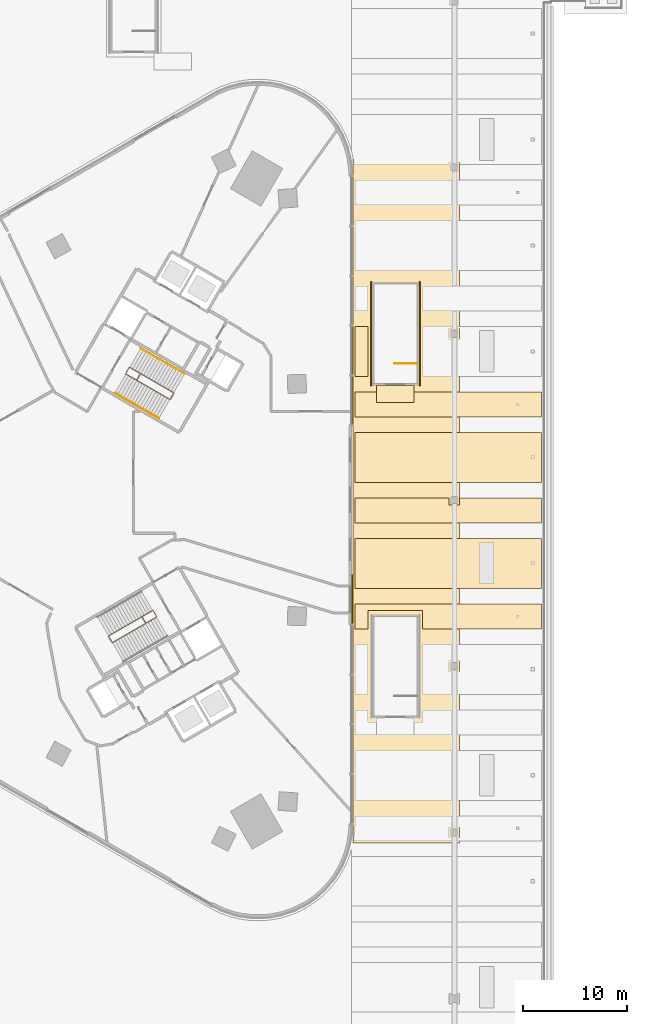
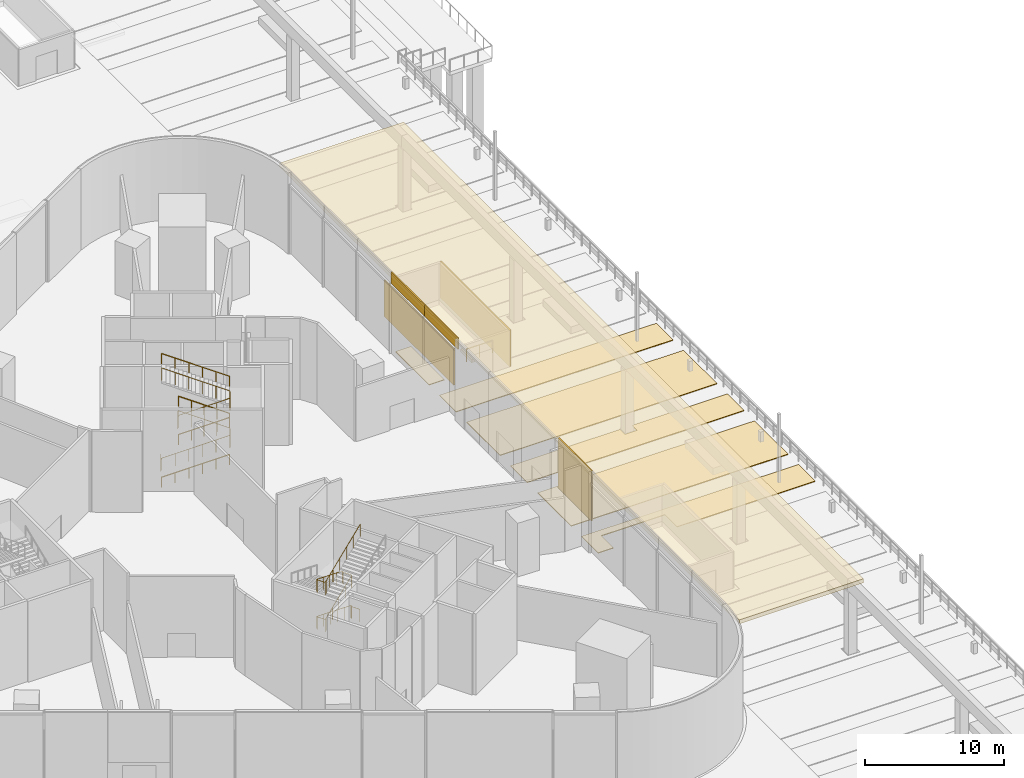
# One storey, part 37 of 41: 13 coverings, 7 railings.
"""IFC4 building model written with IfcOpenShell, lengths in metres."""

from ifc_helpers import new_model, si_unit, direction, frame, origin, origin_2d, place, context, subcontext, project, spatial, polyline, rectangle, circle, outline, extrude, material, layer, layer_set, type_object, element, save


model = new_model("IFC4")

# Units and contexts
model_context = context("Model", 3, precision=1e-05, world=origin(), true_north=direction((0.0, 1.0)))
body_context = subcontext(model_context, "Body", "Model", "MODEL_VIEW")
ifc_project = project(units=[si_unit("LENGTHUNIT", "METRE"), si_unit("AREAUNIT", "SQUARE_METRE"), si_unit("VOLUMEUNIT", "CUBIC_METRE"), si_unit("PLANEANGLEUNIT", "RADIAN"), si_unit("MASSUNIT", "GRAM", prefix="KILO")], contexts=[model_context])

# Site, building, storey
site_placement = place(None, origin())
site = spatial("IfcSite", under=ifc_project, at=site_placement, CompositionType="ELEMENT")
building_placement = place(site_placement, origin())
building = spatial("IfcBuilding", under=site, at=building_placement, Name="Tamra Quay Hotel Tower", CompositionType="ELEMENT")
storey_placement = place(building_placement, origin())
storey = spatial("IfcBuildingStorey", under=building, at=storey_placement, Name="L00", CompositionType="ELEMENT", Elevation=0.0)

# Railing
ifc_material_1 = material(Name="Basement stair guard 1100")
railing_type_1 = type_object("IfcRailingType", Name="Basement stair guard 1100", PredefinedType="GUARDRAIL", material=ifc_material_1)
railing_1_placement = place(storey_placement, frame((33.300048828125, 13.14990234375, 0.0)))
element("IfcRailing", 1, at=railing_1_placement, inside=storey, type_object=railing_type_1, Name="BSG", PredefinedType="GUARDRAIL", context=body_context, shape_type="SweptSolid", body=[
    extrude(circle(Radius=0.02392578125, at=origin_2d()), frame((0.0, 0.0, 1.076171875), z_axis=(-1.0, 0.0, 0.0), x_axis=(0.0, -1.0, 0.0)), (0.0, 0.0, 1.0), 2.150146484375),
    extrude(circle(Radius=0.02099609375, at=origin_2d()), origin(), (0.0, 0.0, 1.0), 1.052001953125),
    extrude(circle(Radius=0.02099609375, at=origin_2d()), frame((-1.0751953125, 0.0, 0.0)), (0.0, 0.0, 1.0), 1.052001953125),
    extrude(circle(Radius=0.02099609375, at=origin_2d()), frame((-2.150146484375, 0.0, 0.0)), (0.0, 0.0, 1.0), 1.052001953125),
])

# Coverings
ifc_material_2 = material(Name="Concrete M60", Category="concrete")
ifc_layer_1 = layer(ifc_material_2, 0.35009765625)
ifc_layer_set_1 = layer_set([ifc_layer_1], Name="CANOPY SHEET 350")
covering_type_1 = type_object("IfcCoveringType", Name="CANOPY SHEET 350", PredefinedType="ROOFING", material=ifc_layer_set_1)
covering_1_placement = place(storey_placement, frame((0.0, 0.0, 6.39990234375)))
element("IfcCovering", 2, at=covering_1_placement, inside=storey, type_object=covering_type_1, Name="Promenade canopy", PredefinedType="ROOFING", context=body_context, shape_type="SweptSolid", body=[
    extrude(outline(polyline([(27.1201171875, -33.0), (37.39990234375, -33.0), (37.39990234375, 33.0), (27.1201171875, 33.0), (27.1201171875, -33.0)])), origin(), (0.0, 0.0, 1.0), 0.35009765625),
])
ifc_material_3 = material(Name="Reinforced concrete M60 with waterproofing membrane", Category="concrete")
ifc_layer_2 = layer(ifc_material_3, 0.25)
ifc_layer_set_2 = layer_set([ifc_layer_2], Name="PAVILION CANOPY SHEET 250")
covering_type_2 = type_object("IfcCoveringType", Name="PAVILION CANOPY SHEET 250", PredefinedType="ROOFING", material=ifc_layer_set_2)
covering_2_placement = place(storey_placement, frame((0.0, 0.0, 2.75)))
element("IfcCovering", 3, at=covering_2_placement, inside=storey, type_object=covering_type_2, Name="Stair pavilion BS16 door canopy", PredefinedType="ROOFING", context=body_context, shape_type="SweptSolid", body=[
    extrude(outline(polyline([(29.425048828125, 11.0), (33.02490234375, 11.0), (33.02490234375, 9.39990234375), (29.425048828125, 9.39990234375), (29.425048828125, 11.0)])), origin(), (0.0, 0.0, 1.0), 0.25),
])
ifc_material_4 = material(Name="Precast concrete M60 terracotta-coloured pierced relief", Category="masonry")
ifc_layer_3 = layer(ifc_material_4, 0.10009765625)
ifc_layer_set_3 = layer_set([ifc_layer_3], Name="PIERCED RELIEF PANEL 100")
covering_type_3 = type_object("IfcCoveringType", Name="PIERCED RELIEF PANEL 100", PredefinedType="CLADDING", material=ifc_layer_set_3)
covering_3_placement = place(storey_placement, frame((27.050048828125, -9.593017578125, 2.699951171875), z_axis=(0.0, 0.0, 1.0), x_axis=(0.0, 1.0, 0.0)))
element("IfcCovering", 4, at=covering_3_placement, inside=storey, type_object=covering_type_3, Name="Relief panel L00.E.08", PredefinedType="CLADDING", context=body_context, shape_type="SweptSolid", body=[
    extrude(rectangle(XDim=4.7763671875, YDim=0.10009765625, at=origin_2d()), origin(), (0.0, 0.0, 1.0), 4.39990234375),
])
for number, where, z_axis, x_axis, name in (
    (5, (27.050048828125, 9.593017578125, 6.10009765625), (0.0, 0.0, 1.0), (0.0, 1.0, 0.0), "Relief panel L00.E.12"),
    (6, (27.050048828125, 14.389404296875, 6.10009765625), (0.0, 0.0, 1.0), (0.0, 1.0, 0.0), "Relief panel L00.E.13"),
):
    element("IfcCovering", number, at=place(storey_placement, frame(where, z_axis=z_axis, x_axis=x_axis)), inside=storey, type_object=covering_type_3, Name=name, PredefinedType="CLADDING", context=body_context, shape_type="SweptSolid", body=[
        extrude(rectangle(XDim=4.7763671875, YDim=0.10009765625, at=origin_2d()), origin(), (0.0, 0.0, 1.0), 1.0),
    ])
for number, where, z_axis, x_axis, name in (
    (7, (28.89990234375, 16.0, 0.0), (0.0, 0.0, 1.0), (0.0, -1.0, 0.0), "Relief panel BS16.W"),
    (8, (33.550048828125, 16.0, 0.0), (0.0, 0.0, 1.0), (0.0, 1.0, 0.0), "Relief panel BS16.E"),
):
    element("IfcCovering", number, at=place(storey_placement, frame(where, z_axis=z_axis, x_axis=x_axis)), inside=storey, type_object=covering_type_3, Name=name, PredefinedType="CLADDING", context=body_context, shape_type="SweptSolid", body=[
        extrude(rectangle(XDim=9.97998046875, YDim=0.10009765625, at=origin_2d()), origin(), (0.0, 0.0, 1.0), 3.199951171875),
    ])
ifc_material_5 = material(Name="Limestone flagstone paving light grey", Category="masonry")
ifc_layer_4 = layer(ifc_material_5, 0.06005859375)
ifc_layer_set_4 = layer_set([ifc_layer_4], Name="PROMENADE PAVING 60")
covering_type_4 = type_object("IfcCoveringType", Name="PROMENADE PAVING 60", PredefinedType="USERDEFINED", material=ifc_layer_set_4)
covering_4_placement = place(storey_placement, origin())
element("IfcCovering", 9, at=covering_4_placement, inside=storey, type_object=covering_type_4, Name="Tamra Quay Promenade paving strip.14", ObjectType="PAVING", PredefinedType="USERDEFINED", context=body_context, shape_type="SweptSolid", body=[
    extrude(outline(polyline([(27.320068359375, -10.0), (27.320068359375, -12.39990234375), (28.60009765625, -12.39990234375), (28.60009765625, -10.64990234375), (33.85009765625, -10.64990234375), (33.85009765625, -12.39990234375), (45.300048828125, -12.39990234375), (45.300048828125, -10.0), (27.320068359375, -10.0)])), origin(), (0.0, 0.0, 1.0), 0.06005859375),
])
covering_5_placement = place(storey_placement, origin())
element("IfcCovering", 10, at=covering_5_placement, inside=storey, type_object=covering_type_4, Name="Tamra Quay Promenade paving strip.15", ObjectType="PAVING", PredefinedType="USERDEFINED", context=body_context, shape_type="SweptSolid", body=[
    extrude(outline(polyline([(27.320068359375, -3.699951171875), (27.320068359375, -8.5), (45.300048828125, -8.5), (45.300048828125, -3.699951171875), (27.320068359375, -3.699951171875)])), origin(), (0.0, 0.0, 1.0), 0.06005859375),
])
covering_6_placement = place(storey_placement, origin())
element("IfcCovering", 11, at=covering_6_placement, inside=storey, type_object=covering_type_4, Name="Tamra Quay Promenade paving strip.16", ObjectType="PAVING", PredefinedType="USERDEFINED", context=body_context, shape_type="SweptSolid", body=[
    extrude(outline(polyline([(27.320068359375, 0.199951171875), (27.320068359375, -2.199951171875), (45.300048828125, -2.199951171875), (45.300048828125, 0.199951171875), (37.39990234375, 0.199951171875), (37.39990234375, -0.5), (36.39990234375, -0.5), (36.39990234375, 0.199951171875), (27.320068359375, 0.199951171875)])), origin(), (0.0, 0.0, 1.0), 0.06005859375),
])
covering_7_placement = place(storey_placement, origin())
element("IfcCovering", 12, at=covering_7_placement, inside=storey, type_object=covering_type_4, Name="Tamra Quay Promenade paving strip.17", ObjectType="PAVING", PredefinedType="USERDEFINED", context=body_context, shape_type="SweptSolid", body=[
    extrude(outline(polyline([(27.320068359375, 6.5), (27.320068359375, 1.699951171875), (45.300048828125, 1.699951171875), (45.300048828125, 6.5), (27.320068359375, 6.5)])), origin(), (0.0, 0.0, 1.0), 0.06005859375),
])
covering_8_placement = place(storey_placement, origin())
element("IfcCovering", 13, at=covering_8_placement, inside=storey, type_object=covering_type_4, Name="Tamra Quay Promenade paving strip.18", ObjectType="PAVING", PredefinedType="USERDEFINED", context=body_context, shape_type="SweptSolid", body=[
    extrude(outline(polyline([(27.320068359375, 10.39990234375), (27.320068359375, 8.0), (45.300048828125, 8.0), (45.300048828125, 10.39990234375), (27.320068359375, 10.39990234375)])), origin(), (0.0, 0.0, 1.0), 0.06005859375),
])
covering_9_placement = place(storey_placement, origin())
element("IfcCovering", 14, at=covering_9_placement, inside=storey, type_object=covering_type_4, Name="Tamra Quay Promenade paving strip.19.1", ObjectType="PAVING", PredefinedType="USERDEFINED", context=body_context, shape_type="SweptSolid", body=[
    extrude(outline(polyline([(27.320068359375, 16.699951171875), (27.320068359375, 11.89990234375), (28.60009765625, 11.89990234375), (28.60009765625, 16.699951171875), (27.320068359375, 16.699951171875)])), origin(), (0.0, 0.0, 1.0), 0.06005859375),
])

# Railings
ifc_material_6 = material(Name="Stair guard 1100")
railing_type_2 = type_object("IfcRailingType", Name="Stair guard 1100", PredefinedType="GUARDRAIL", material=ifc_material_6)
railing_2_placement = place(storey_placement, frame((5.595458984375, 12.751953125, 0.0)))
element("IfcRailing", 15, at=railing_2_placement, inside=storey, type_object=railing_type_2, Name="GR", PredefinedType="GUARDRAIL", context=body_context, shape_type="SweptSolid", body=[
    extrude(circle(Radius=0.02392578125, at=origin_2d()), frame((0.0, 0.0, 1.076171875), z_axis=(-0.499765215335, -0.866160914346, 0.0), x_axis=(0.866160914346, -0.499765215335, 0.0)), (0.0, 0.0, 1.0), 0.658935546875),
    extrude(circle(Radius=0.02392578125, at=origin_2d()), frame((-0.329345703125, -0.57080078125, 1.076171875), z_axis=(0.127575745069, -0.474581771658, 0.87091708634), x_axis=(0.965715946433, 0.259601060869, 0.0)), (0.0, 0.0, 1.0), 0.1435546875),
    extrude(circle(Radius=0.02392578125, at=origin_2d()), frame((-0.31103515625, -0.638916015625, 1.201171875), z_axis=(0.80131590799, -0.462689341442, 0.37922472087), x_axis=(0.500040029196, 0.866002291684, 0.0)), (0.0, 0.0, 1.0), 5.27392578125),
    extrude(circle(Radius=0.02392578125, at=origin_2d()), frame((3.9150390625, -3.0791015625, 3.201171875), z_axis=(0.965948051503, 0.258736085224, 0.0), x_axis=(-0.258736085224, 0.965948051503, 0.0)), (0.0, 0.0, 1.0), 0.07080078125),
    extrude(circle(Radius=0.02392578125, at=origin_2d()), frame((3.9833984375, -3.060791015625, 3.201171875), z_axis=(0.500043078269, 0.866000531106, 0.0), x_axis=(-0.866000531106, 0.500043078269, 0.0)), (0.0, 0.0, 1.0), 0.6591796875),
    extrude(circle(Radius=0.02392578125, at=origin_2d()), frame((4.31298828125, -2.489990234375, 3.201171875), z_axis=(-0.127472697635, 0.475898071169, 0.870213615852), x_axis=(-0.965948051503, -0.258736085224, 0.0)), (0.0, 0.0, 1.0), 0.1435546875),
    extrude(circle(Radius=0.02392578125, at=origin_2d()), frame((4.294677734375, -2.421630859375, 3.326171875), z_axis=(-0.80135555622, 0.462617260561, 0.379228879104), x_axis=(-0.499963050397, -0.866046735597, 0.0)), (0.0, 0.0, 1.0), 3.955322265625),
    extrude(circle(Radius=0.02392578125, at=origin_2d()), frame((1.125, -0.591796875, 4.826171875), z_axis=(-0.965948051503, -0.258736085224, 0.0), x_axis=(0.258736085224, -0.965948051503, 0.0)), (0.0, 0.0, 1.0), 0.07080078125),
    extrude(circle(Radius=0.02392578125, at=origin_2d()), frame((1.056640625, -0.610107421875, 4.826171875), z_axis=(-0.500203519255, -0.865907869998, 0.0), x_axis=(0.865907869998, -0.500203519255, 0.0)), (0.0, 0.0, 1.0), 0.658935546875),
    extrude(circle(Radius=0.02392578125, at=origin_2d()), frame((0.72705078125, -1.1806640625, 4.826171875), z_axis=(0.127472697635, -0.475898071169, 0.870213615852), x_axis=(0.965948051503, 0.258736085224, 0.0)), (0.0, 0.0, 1.0), 0.1435546875),
    extrude(circle(Radius=0.02392578125, at=origin_2d()), frame((0.745361328125, -1.2490234375, 4.951171875), z_axis=(0.801332673499, -0.462665772206, 0.379218050218), x_axis=(0.500013080017, 0.866017851902, 0.0)), (0.0, 0.0, 1.0), 3.95556640625),
    extrude(circle(Radius=0.02392578125, at=origin_2d()), frame((3.9150390625, -3.0791015625, 6.451171875), z_axis=(0.965948051503, 0.258736085224, 0.0), x_axis=(-0.258736085224, 0.965948051503, 0.0)), (0.0, 0.0, 1.0), 0.07080078125),
    extrude(circle(Radius=0.02392578125, at=origin_2d()), frame((3.9833984375, -3.060791015625, 6.451171875), z_axis=(0.500043078269, 0.866000531106, 0.0), x_axis=(-0.866000531106, 0.500043078269, 0.0)), (0.0, 0.0, 1.0), 0.6591796875),
    extrude(circle(Radius=0.02392578125, at=origin_2d()), frame((4.31298828125, -2.489990234375, 6.451171875), z_axis=(-0.127472697635, 0.475898071169, 0.870213615852), x_axis=(-0.965948051503, -0.258736085224, 0.0)), (0.0, 0.0, 1.0), 0.1435546875),
    extrude(circle(Radius=0.02392578125, at=origin_2d()), frame((4.294677734375, -2.421630859375, 6.576171875), z_axis=(-0.801349636712, 0.462635796274, 0.379218775573), x_axis=(-0.499980844995, -0.866036462649, 0.0)), (0.0, 0.0, 1.0), 5.27392578125),
    extrude(circle(Radius=0.02099609375, at=origin_2d()), origin(), (0.0, 0.0, 1.0), 1.052001953125),
    extrude(circle(Radius=0.02099609375, at=origin_2d()), frame((-0.329345703125, -0.57080078125, 0.0)), (0.0, 0.0, 1.0), 1.052001953125),
    extrude(circle(Radius=0.02099609375, at=origin_2d()), frame((-0.31103515625, -0.638916015625, 0.125)), (0.0, 0.0, 1.0), 1.052001953125),
    extrude(circle(Radius=0.02099609375, at=origin_2d()), frame((0.5341796875, -1.126953125, 0.52490234375)), (0.0, 0.0, 1.0), 1.052001953125),
    extrude(circle(Radius=0.02099609375, at=origin_2d()), frame((1.37939453125, -1.614990234375, 0.925048828125)), (0.0, 0.0, 1.0), 1.052001953125),
    extrude(circle(Radius=0.02099609375, at=origin_2d()), frame((2.224609375, -2.10302734375, 1.324951171875)), (0.0, 0.0, 1.0), 1.052001953125),
    extrude(circle(Radius=0.02099609375, at=origin_2d()), frame((3.06982421875, -2.591064453125, 1.72509765625)), (0.0, 0.0, 1.0), 1.052001953125),
    extrude(circle(Radius=0.02099609375, at=origin_2d()), frame((3.9150390625, -3.0791015625, 2.125)), (0.0, 0.0, 1.0), 1.052001953125),
    extrude(circle(Radius=0.02099609375, at=origin_2d()), frame((3.9833984375, -3.060791015625, 2.125)), (0.0, 0.0, 1.0), 1.052001953125),
    extrude(circle(Radius=0.02099609375, at=origin_2d()), frame((4.31298828125, -2.489990234375, 2.125)), (0.0, 0.0, 1.0), 1.052001953125),
    extrude(circle(Radius=0.02099609375, at=origin_2d()), frame((4.294677734375, -2.421630859375, 2.25)), (0.0, 0.0, 1.0), 1.052001953125),
    extrude(circle(Radius=0.02099609375, at=origin_2d()), frame((3.502197265625, -1.964111328125, 2.625)), (0.0, 0.0, 1.0), 1.052001953125),
    extrude(circle(Radius=0.02099609375, at=origin_2d()), frame((2.7099609375, -1.5068359375, 3.0)), (0.0, 0.0, 1.0), 1.052001953125),
    extrude(circle(Radius=0.02099609375, at=origin_2d()), frame((1.91748046875, -1.04931640625, 3.375)), (0.0, 0.0, 1.0), 1.052001953125),
    extrude(circle(Radius=0.02099609375, at=origin_2d()), frame((1.125, -0.591796875, 3.75)), (0.0, 0.0, 1.0), 1.052001953125),
    extrude(circle(Radius=0.02099609375, at=origin_2d()), frame((1.056640625, -0.610107421875, 3.75)), (0.0, 0.0, 1.0), 1.052001953125),
    extrude(circle(Radius=0.02099609375, at=origin_2d()), frame((0.72705078125, -1.1806640625, 3.75)), (0.0, 0.0, 1.0), 1.052001953125),
    extrude(circle(Radius=0.02099609375, at=origin_2d()), frame((0.745361328125, -1.2490234375, 3.875)), (0.0, 0.0, 1.0), 1.052001953125),
    extrude(circle(Radius=0.02099609375, at=origin_2d()), frame((1.537841796875, -1.70654296875, 4.25)), (0.0, 0.0, 1.0), 1.052001953125),
    extrude(circle(Radius=0.02099609375, at=origin_2d()), frame((2.330078125, -2.1640625, 4.625)), (0.0, 0.0, 1.0), 1.052001953125),
    extrude(circle(Radius=0.02099609375, at=origin_2d()), frame((3.12255859375, -2.62158203125, 5.0)), (0.0, 0.0, 1.0), 1.052001953125),
    extrude(circle(Radius=0.02099609375, at=origin_2d()), frame((3.9150390625, -3.0791015625, 5.375)), (0.0, 0.0, 1.0), 1.052001953125),
    extrude(circle(Radius=0.02099609375, at=origin_2d()), frame((3.9833984375, -3.060791015625, 5.375)), (0.0, 0.0, 1.0), 1.052001953125),
    extrude(circle(Radius=0.02099609375, at=origin_2d()), frame((4.31298828125, -2.489990234375, 5.375)), (0.0, 0.0, 1.0), 1.052001953125),
    extrude(circle(Radius=0.02099609375, at=origin_2d()), frame((4.294677734375, -2.421630859375, 5.5)), (0.0, 0.0, 1.0), 1.052001953125),
    extrude(circle(Radius=0.02099609375, at=origin_2d()), frame((3.449462890625, -1.93359375, 5.89990234375)), (0.0, 0.0, 1.0), 1.052001953125),
    extrude(circle(Radius=0.02099609375, at=origin_2d()), frame((2.604248046875, -1.445556640625, 6.300048828125)), (0.0, 0.0, 1.0), 1.052001953125),
    extrude(circle(Radius=0.02099609375, at=origin_2d()), frame((1.7587890625, -0.957763671875, 6.699951171875)), (0.0, 0.0, 1.0), 1.052001953125),
    extrude(circle(Radius=0.02099609375, at=origin_2d()), frame((0.91357421875, -0.4697265625, 7.10009765625)), (0.0, 0.0, 1.0), 1.052001953125),
    extrude(circle(Radius=0.02099609375, at=origin_2d()), frame((0.068359375, 0.018310546875, 7.5)), (0.0, 0.0, 1.0), 1.052001953125),
])
railing_3_placement = place(storey_placement, frame((8.245849609375, -11.221923828125, 0.0)))
element("IfcRailing", 16, at=railing_3_placement, inside=storey, type_object=railing_type_2, Name="GR", PredefinedType="GUARDRAIL", context=body_context, shape_type="SweptSolid", body=[
    extrude(circle(Radius=0.02392578125, at=origin_2d()), frame((0.0, 0.0, 1.076171875), z_axis=(-0.500043078269, 0.866000531106, 0.0), x_axis=(-0.866000531106, -0.500043078269, 0.0)), (0.0, 0.0, 1.0), 0.6591796875),
    extrude(circle(Radius=0.02392578125, at=origin_2d()), frame((-0.32958984375, 0.57080078125, 1.076171875), z_axis=(-0.475898071169, 0.127472697635, 0.870213615852), x_axis=(-0.258736085224, -0.965948051503, 0.0)), (0.0, 0.0, 1.0), 0.1435546875),
    extrude(circle(Radius=0.02392578125, at=origin_2d()), frame((-0.39794921875, 0.589111328125, 1.201171875), z_axis=(-0.80133307095, -0.462652958467, 0.379232843282), x_axis=(0.500002508028, -0.866023955769, 0.0)), (0.0, 0.0, 1.0), 5.27392578125),
    extrude(circle(Radius=0.02392578125, at=origin_2d()), frame((-4.6240234375, -1.850830078125, 3.201171875), z_axis=(-0.258736085224, -0.965948051503, 0.0), x_axis=(0.965948051503, -0.258736085224, 0.0)), (0.0, 0.0, 1.0), 0.07080078125),
    extrude(circle(Radius=0.02392578125, at=origin_2d()), frame((-4.642333984375, -1.919189453125, 3.201171875), z_axis=(0.499765215335, -0.866160914346, 0.0), x_axis=(0.866160914346, 0.499765215335, 0.0)), (0.0, 0.0, 1.0), 0.658935546875),
    extrude(circle(Radius=0.02392578125, at=origin_2d()), frame((-4.31298828125, -2.489990234375, 3.201171875), z_axis=(0.475898071169, -0.127472697635, 0.870213615852), x_axis=(0.258736085224, 0.965948051503, 0.0)), (0.0, 0.0, 1.0), 0.1435546875),
    extrude(circle(Radius=0.02392578125, at=origin_2d()), frame((-4.24462890625, -2.50830078125, 3.326171875), z_axis=(0.801332673499, 0.462665772206, 0.379218050218), x_axis=(-0.500013080017, 0.866017851902, 0.0)), (0.0, 0.0, 1.0), 3.95556640625),
    extrude(circle(Radius=0.02392578125, at=origin_2d()), frame((-1.074951171875, -0.67822265625, 4.826171875), z_axis=(0.258736085224, 0.965948051503, 0.0), x_axis=(-0.965948051503, 0.258736085224, 0.0)), (0.0, 0.0, 1.0), 0.07080078125),
    extrude(circle(Radius=0.02392578125, at=origin_2d()), frame((-1.056640625, -0.60986328125, 4.826171875), z_axis=(-0.500203519255, 0.865907869998, 0.0), x_axis=(-0.865907869998, -0.500203519255, 0.0)), (0.0, 0.0, 1.0), 0.658935546875),
    extrude(circle(Radius=0.02392578125, at=origin_2d()), frame((-1.38623046875, -0.039306640625, 4.826171875), z_axis=(-0.474581771658, 0.127575745069, 0.87091708634), x_axis=(-0.259601060869, -0.965715946433, 0.0)), (0.0, 0.0, 1.0), 0.1435546875),
    extrude(circle(Radius=0.02392578125, at=origin_2d()), frame((-1.454345703125, -0.02099609375, 4.951171875), z_axis=(-0.80135555622, -0.462617260561, 0.379228879104), x_axis=(0.499963050397, -0.866046735597, 0.0)), (0.0, 0.0, 1.0), 3.955322265625),
    extrude(circle(Radius=0.02392578125, at=origin_2d()), frame((-4.6240234375, -1.850830078125, 6.451171875), z_axis=(-0.258736085224, -0.965948051503, 0.0), x_axis=(0.965948051503, -0.258736085224, 0.0)), (0.0, 0.0, 1.0), 0.07080078125),
    extrude(circle(Radius=0.02392578125, at=origin_2d()), frame((-4.642333984375, -1.919189453125, 6.451171875), z_axis=(0.499765215335, -0.866160914346, 0.0), x_axis=(0.866160914346, 0.499765215335, 0.0)), (0.0, 0.0, 1.0), 0.658935546875),
    extrude(circle(Radius=0.02392578125, at=origin_2d()), frame((-4.31298828125, -2.489990234375, 6.451171875), z_axis=(0.475898071169, -0.127472697635, 0.870213615852), x_axis=(0.258736085224, 0.965948051503, 0.0)), (0.0, 0.0, 1.0), 0.1435546875),
    extrude(circle(Radius=0.02392578125, at=origin_2d()), frame((-4.24462890625, -2.50830078125, 6.576171875), z_axis=(0.801332474671, 0.462672178634, 0.379210654064), x_axis=(-0.500018365622, 0.866014800128, 0.0)), (0.0, 0.0, 1.0), 5.274169921875),
    extrude(circle(Radius=0.02099609375, at=origin_2d()), origin(), (0.0, 0.0, 1.0), 1.052001953125),
    extrude(circle(Radius=0.02099609375, at=origin_2d()), frame((-0.32958984375, 0.57080078125, 0.0)), (0.0, 0.0, 1.0), 1.052001953125),
    extrude(circle(Radius=0.02099609375, at=origin_2d()), frame((-0.39794921875, 0.589111328125, 0.125)), (0.0, 0.0, 1.0), 1.052001953125),
    extrude(circle(Radius=0.02099609375, at=origin_2d()), frame((-1.2431640625, 0.10107421875, 0.52490234375)), (0.0, 0.0, 1.0), 1.052001953125),
    extrude(circle(Radius=0.02099609375, at=origin_2d()), frame((-2.08837890625, -0.386962890625, 0.925048828125)), (0.0, 0.0, 1.0), 1.052001953125),
    extrude(circle(Radius=0.02099609375, at=origin_2d()), frame((-2.93359375, -0.874755859375, 1.324951171875)), (0.0, 0.0, 1.0), 1.052001953125),
    extrude(circle(Radius=0.02099609375, at=origin_2d()), frame((-3.77880859375, -1.36279296875, 1.72509765625)), (0.0, 0.0, 1.0), 1.052001953125),
    extrude(circle(Radius=0.02099609375, at=origin_2d()), frame((-4.6240234375, -1.850830078125, 2.125)), (0.0, 0.0, 1.0), 1.052001953125),
    extrude(circle(Radius=0.02099609375, at=origin_2d()), frame((-4.642333984375, -1.919189453125, 2.125)), (0.0, 0.0, 1.0), 1.052001953125),
    extrude(circle(Radius=0.02099609375, at=origin_2d()), frame((-4.31298828125, -2.489990234375, 2.125)), (0.0, 0.0, 1.0), 1.052001953125),
    extrude(circle(Radius=0.02099609375, at=origin_2d()), frame((-4.24462890625, -2.50830078125, 2.25)), (0.0, 0.0, 1.0), 1.052001953125),
    extrude(circle(Radius=0.02099609375, at=origin_2d()), frame((-3.4521484375, -2.05078125, 2.625)), (0.0, 0.0, 1.0), 1.052001953125),
    extrude(circle(Radius=0.02099609375, at=origin_2d()), frame((-2.65966796875, -1.59326171875, 3.0)), (0.0, 0.0, 1.0), 1.052001953125),
    extrude(circle(Radius=0.02099609375, at=origin_2d()), frame((-1.867431640625, -1.1357421875, 3.375)), (0.0, 0.0, 1.0), 1.052001953125),
    extrude(circle(Radius=0.02099609375, at=origin_2d()), frame((-1.074951171875, -0.67822265625, 3.75)), (0.0, 0.0, 1.0), 1.052001953125),
    extrude(circle(Radius=0.02099609375, at=origin_2d()), frame((-1.056640625, -0.60986328125, 3.75)), (0.0, 0.0, 1.0), 1.052001953125),
    extrude(circle(Radius=0.02099609375, at=origin_2d()), frame((-1.38623046875, -0.039306640625, 3.75)), (0.0, 0.0, 1.0), 1.052001953125),
    extrude(circle(Radius=0.02099609375, at=origin_2d()), frame((-1.454345703125, -0.02099609375, 3.875)), (0.0, 0.0, 1.0), 1.052001953125),
    extrude(circle(Radius=0.02099609375, at=origin_2d()), frame((-2.246826171875, -0.478515625, 4.25)), (0.0, 0.0, 1.0), 1.052001953125),
    extrude(circle(Radius=0.02099609375, at=origin_2d()), frame((-3.0390625, -0.93603515625, 4.625)), (0.0, 0.0, 1.0), 1.052001953125),
    extrude(circle(Radius=0.02099609375, at=origin_2d()), frame((-3.83154296875, -1.393310546875, 5.0)), (0.0, 0.0, 1.0), 1.052001953125),
    extrude(circle(Radius=0.02099609375, at=origin_2d()), frame((-4.6240234375, -1.850830078125, 5.375)), (0.0, 0.0, 1.0), 1.052001953125),
    extrude(circle(Radius=0.02099609375, at=origin_2d()), frame((-4.642333984375, -1.919189453125, 5.375)), (0.0, 0.0, 1.0), 1.052001953125),
    extrude(circle(Radius=0.02099609375, at=origin_2d()), frame((-4.31298828125, -2.489990234375, 5.375)), (0.0, 0.0, 1.0), 1.052001953125),
    extrude(circle(Radius=0.02099609375, at=origin_2d()), frame((-4.24462890625, -2.50830078125, 5.5)), (0.0, 0.0, 1.0), 1.052001953125),
    extrude(circle(Radius=0.02099609375, at=origin_2d()), frame((-3.3994140625, -2.020263671875, 5.89990234375)), (0.0, 0.0, 1.0), 1.052001953125),
    extrude(circle(Radius=0.02099609375, at=origin_2d()), frame((-2.55419921875, -1.5322265625, 6.300048828125)), (0.0, 0.0, 1.0), 1.052001953125),
    extrude(circle(Radius=0.02099609375, at=origin_2d()), frame((-1.708740234375, -1.044189453125, 6.699951171875)), (0.0, 0.0, 1.0), 1.052001953125),
    extrude(circle(Radius=0.02099609375, at=origin_2d()), frame((-0.863525390625, -0.55615234375, 7.10009765625)), (0.0, 0.0, 1.0), 1.052001953125),
    extrude(circle(Radius=0.02099609375, at=origin_2d()), frame((-0.018310546875, -0.068115234375, 7.5)), (0.0, 0.0, 1.0), 1.052001953125),
])
ifc_material_7 = material(Name="Stair handrail 900")
railing_type_3 = type_object("IfcRailingType", Name="Stair handrail 900", PredefinedType="HANDRAIL", material=ifc_material_7)
railing_4_placement = place(storey_placement, frame((4.234375, 10.294189453125, 0.125)))
element("IfcRailing", 17, at=railing_4_placement, inside=storey, type_object=railing_type_3, Name="HR", PredefinedType="HANDRAIL", context=body_context, shape_type="SweptSolid", body=[
    extrude(circle(Radius=0.02392578125, at=origin_2d()), frame((0.0, 0.0, 0.8759765625), z_axis=(0.80133307095, -0.462652958467, 0.379232843282), x_axis=(0.500002508028, 0.866023955769, 0.0)), (0.0, 0.0, 1.0), 5.27392578125),
    extrude(circle(Radius=0.02099609375, at=origin_2d()), origin(), (0.0, 0.0, 1.0), 0.851806640625),
    extrude(circle(Radius=0.02099609375, at=origin_2d()), frame((0.84521484375, -0.488037109375, 0.39990234375)), (0.0, 0.0, 1.0), 0.851806640625),
    extrude(circle(Radius=0.02099609375, at=origin_2d()), frame((1.6904296875, -0.97607421875, 0.800048828125)), (0.0, 0.0, 1.0), 0.851806640625),
    extrude(circle(Radius=0.02099609375, at=origin_2d()), frame((2.53564453125, -1.4638671875, 1.199951171875)), (0.0, 0.0, 1.0), 0.851806640625),
    extrude(circle(Radius=0.02099609375, at=origin_2d()), frame((3.380859375, -1.951904296875, 1.60009765625)), (0.0, 0.0, 1.0), 0.851806640625),
    extrude(circle(Radius=0.02099609375, at=origin_2d()), frame((4.22607421875, -2.43994140625, 2.0)), (0.0, 0.0, 1.0), 0.851806640625),
])
railing_5_placement = place(storey_placement, frame((10.93994140625, 12.14892578125, 2.25)))
element("IfcRailing", 18, at=railing_5_placement, inside=storey, type_object=railing_type_3, Name="HR", PredefinedType="HANDRAIL", context=body_context, shape_type="SweptSolid", body=[
    extrude(circle(Radius=0.02392578125, at=origin_2d()), frame((0.0, 0.0, 0.8759765625), z_axis=(-0.80131058377, 0.462688656289, 0.379236806862), x_axis=(-0.500041965584, -0.866001173587, 0.0)), (0.0, 0.0, 1.0), 3.955322265625),
    extrude(circle(Radius=0.02099609375, at=origin_2d()), origin(), (0.0, 0.0, 1.0), 0.851806640625),
    extrude(circle(Radius=0.02099609375, at=origin_2d()), frame((-0.79248046875, 0.45751953125, 0.375)), (0.0, 0.0, 1.0), 0.851806640625),
    extrude(circle(Radius=0.02099609375, at=origin_2d()), frame((-1.584716796875, 0.9150390625, 0.75)), (0.0, 0.0, 1.0), 0.851806640625),
    extrude(circle(Radius=0.02099609375, at=origin_2d()), frame((-2.376953125, 1.37255859375, 1.125)), (0.0, 0.0, 1.0), 0.851806640625),
    extrude(circle(Radius=0.02099609375, at=origin_2d()), frame((-3.16943359375, 1.830078125, 1.5)), (0.0, 0.0, 1.0), 0.851806640625),
])
railing_6_placement = place(storey_placement, frame((5.290771484375, 9.684326171875, 3.875)))
element("IfcRailing", 19, at=railing_6_placement, inside=storey, type_object=railing_type_3, Name="HR", PredefinedType="HANDRAIL", context=body_context, shape_type="SweptSolid", body=[
    extrude(circle(Radius=0.02392578125, at=origin_2d()), frame((0.0, 0.0, 0.8759765625), z_axis=(0.801332673499, -0.462665772206, 0.379218050218), x_axis=(0.500013080017, 0.866017851902, 0.0)), (0.0, 0.0, 1.0), 3.95556640625),
    extrude(circle(Radius=0.02099609375, at=origin_2d()), origin(), (0.0, 0.0, 1.0), 0.851806640625),
    extrude(circle(Radius=0.02099609375, at=origin_2d()), frame((0.79248046875, -0.45751953125, 0.375)), (0.0, 0.0, 1.0), 0.851806640625),
    extrude(circle(Radius=0.02099609375, at=origin_2d()), frame((1.5849609375, -0.9150390625, 0.75)), (0.0, 0.0, 1.0), 0.851806640625),
    extrude(circle(Radius=0.02099609375, at=origin_2d()), frame((2.377197265625, -1.37255859375, 1.125)), (0.0, 0.0, 1.0), 0.851806640625),
    extrude(circle(Radius=0.02099609375, at=origin_2d()), frame((3.169677734375, -1.830078125, 1.5)), (0.0, 0.0, 1.0), 0.851806640625),
])
railing_7_placement = place(storey_placement, frame((10.93994140625, 12.14892578125, 5.5)))
element("IfcRailing", 20, at=railing_7_placement, inside=storey, type_object=railing_type_3, Name="HR", PredefinedType="HANDRAIL", context=body_context, shape_type="SweptSolid", body=[
    extrude(circle(Radius=0.02392578125, at=origin_2d()), frame((0.0, 0.0, 0.8759765625), z_axis=(-0.80133307095, 0.462652958467, 0.379232843282), x_axis=(-0.500002508028, -0.866023955769, 0.0)), (0.0, 0.0, 1.0), 5.27392578125),
    extrude(circle(Radius=0.02099609375, at=origin_2d()), origin(), (0.0, 0.0, 1.0), 0.851806640625),
    extrude(circle(Radius=0.02099609375, at=origin_2d()), frame((-0.84521484375, 0.488037109375, 0.39990234375)), (0.0, 0.0, 1.0), 0.851806640625),
    extrude(circle(Radius=0.02099609375, at=origin_2d()), frame((-1.6904296875, 0.97607421875, 0.800048828125)), (0.0, 0.0, 1.0), 0.851806640625),
    extrude(circle(Radius=0.02099609375, at=origin_2d()), frame((-2.53564453125, 1.4638671875, 1.199951171875)), (0.0, 0.0, 1.0), 0.851806640625),
    extrude(circle(Radius=0.02099609375, at=origin_2d()), frame((-3.380859375, 1.951904296875, 1.60009765625)), (0.0, 0.0, 1.0), 0.851806640625),
    extrude(circle(Radius=0.02099609375, at=origin_2d()), frame((-4.22607421875, 2.43994140625, 2.0)), (0.0, 0.0, 1.0), 0.851806640625),
])

save(model, "model.ifc")
